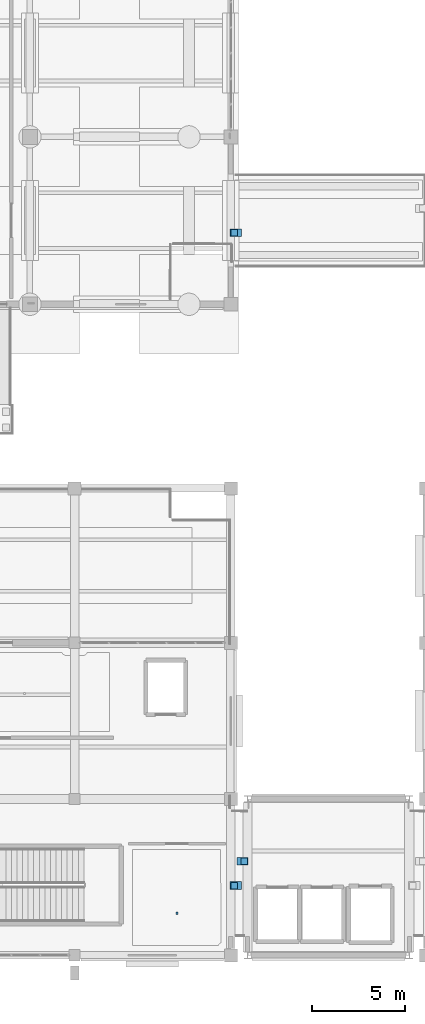
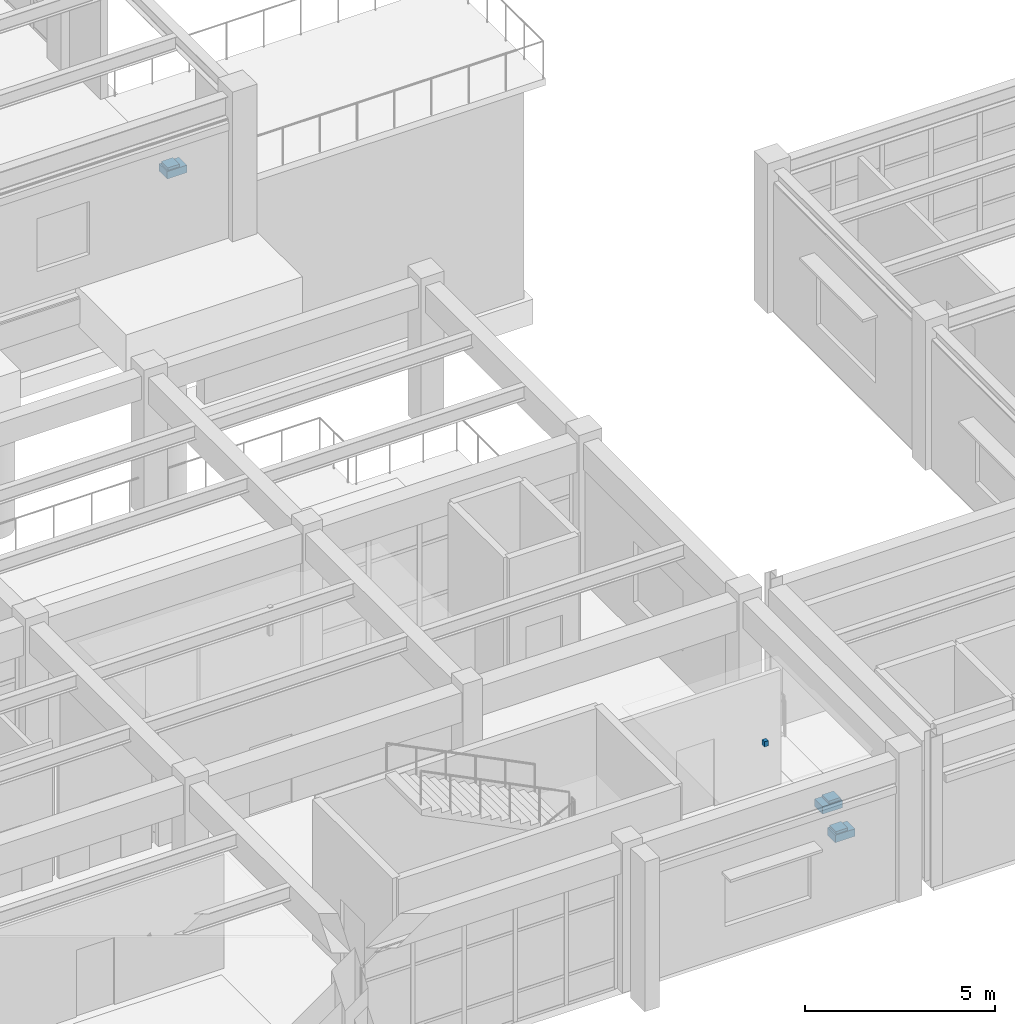
# One storey, part 82 of 98: 7 discrete accessories.
"""IFC4 building model written with IfcOpenShell, lengths in metres."""

from ifc_helpers import new_model, si_unit, direction, frame, origin, origin_2d, place, context, subcontext, project, spatial, rectangle, extrude, material, layer, layer_set, type_object, element, save


model = new_model("IFC4")

# Units and contexts
model_context = context("Model", 3, precision=1e-05, world=origin(), true_north=direction((0.0, 1.0)))
body_context = subcontext(model_context, "Body", "Model", "MODEL_VIEW")
ifc_project = project(units=[si_unit("LENGTHUNIT", "METRE"), si_unit("AREAUNIT", "SQUARE_METRE"), si_unit("VOLUMEUNIT", "CUBIC_METRE"), si_unit("PLANEANGLEUNIT", "RADIAN"), si_unit("MASSUNIT", "GRAM", prefix="KILO")], contexts=[model_context])

# Site, building, storey
site_placement = place(None, origin())
site = spatial("IfcSite", under=ifc_project, at=site_placement, CompositionType="ELEMENT")
building_placement = place(site_placement, origin())
building = spatial("IfcBuilding", under=site, at=building_placement, Name="Canglan Escarpment Cableway Terminal", CompositionType="ELEMENT")
storey_placement = place(building_placement, frame((0.0, 0.0, 9.60009765625)))
storey = spatial("IfcBuildingStorey", under=building, at=storey_placement, Name="L02", CompositionType="ELEMENT", Elevation=9.60009765625)

# Discrete accessories
ifc_material_1 = material(Name="Steel Q355B", Category="steel")
ifc_layer_1 = layer(ifc_material_1, 0.159912109375, Name="Steel Q355B")
ifc_layer_set_1 = layer_set([ifc_layer_1], Name="Steel Q355B")
discrete_accessory_type_1 = type_object("IfcDiscreteAccessoryType", Name="ACC-BRACKET-01", PredefinedType="BRACKET", material=ifc_layer_set_1)
discrete_accessory_placement = place(storey_placement, frame((133.800048828125, 10.25341796875, 4.369873046875), z_axis=(0.0, 0.0, 1.0), x_axis=(1.0, 0.0, 0.0)))
element("IfcDiscreteAccessory", 1, at=discrete_accessory_placement, inside=storey, type_object=discrete_accessory_type_1, Name="Suspended ceiling hanger bracket BK-01", PredefinedType="BRACKET", context=body_context, shape_type="SweptSolid", body=[
    extrude(rectangle(XDim=0.1201171875, YDim=0.1201171875, at=origin_2d()), origin(), (0.0, 0.0, 1.0), 0.169921875),
])
ifc_material_2 = material(Name="Concrete C40", Category="concrete")
ifc_layer_2 = layer(ifc_material_2, 0.239990234375, Name="Concrete C40")
ifc_layer_set_2 = layer_set([ifc_layer_2], Name="Concrete C40")
discrete_accessory_type_2 = type_object("IfcDiscreteAccessoryType", Name="ACC-CORBEL-CB01", PredefinedType="BRACKET", material=ifc_layer_set_2)
for number, where, z_axis, x_axis, name in (
    (2, (136.965087890625, 11.75, -0.5400390625), (0.0, 0.0, 1.0), (1.0, 0.0, 0.0), "Concrete C40 movement-joint corbel bearing ledge CB-01"),
    (3, (137.3349609375, 13.050048828125, -0.5400390625), (0.0, 0.0, 1.0), (1.0, 0.0, 0.0), "Concrete C40 movement-joint corbel bearing ledge CB-01"),
    (4, (136.965087890625, 46.85009765625, -0.5400390625), (0.0, 0.0, 1.0), (1.0, 0.0, 0.0), "Concrete C40 movement-joint corbel bearing ledge CB-01"),
):
    element("IfcDiscreteAccessory", number, at=place(storey_placement, frame(where, z_axis=z_axis, x_axis=x_axis)), inside=storey, type_object=discrete_accessory_type_2, Name=name, PredefinedType="BRACKET", context=body_context, shape_type="SweptSolid", body=[
        extrude(rectangle(XDim=0.60009765625, YDim=0.419921875, at=origin_2d()), origin(), (0.0, 0.0, 1.0), 0.239990234375),
    ])
ifc_material_3 = material(Name="Stainless steel and PTFE elastomer", Category="steel")
ifc_layer_3 = layer(ifc_material_3, 0.080078125, Name="Stainless steel and PTFE elastomer")
ifc_layer_set_3 = layer_set([ifc_layer_3], Name="Stainless steel and PTFE elastomer")
discrete_accessory_type_3 = type_object("IfcDiscreteAccessoryType", Name="BRG-SLIDING-MJ01", PredefinedType="USERDEFINED", material=ifc_layer_set_3)
for number, where, z_axis, x_axis, name in (
    (5, (136.885009765625, 11.75, -0.300048828125), (0.0, 0.0, 1.0), (1.0, 0.0, 0.0), "Unguided PTFE-elastomeric sliding bearing pad MJ-01"),
    (6, (137.4150390625, 13.050048828125, -0.300048828125), (0.0, 0.0, 1.0), (1.0, 0.0, 0.0), "Unguided PTFE-elastomeric sliding bearing pad MJ-01"),
    (7, (136.885009765625, 46.85009765625, -0.300048828125), (0.0, 0.0, 1.0), (1.0, 0.0, 0.0), "Unguided PTFE-elastomeric sliding bearing pad MJ-01"),
):
    element("IfcDiscreteAccessory", number, at=place(storey_placement, frame(where, z_axis=z_axis, x_axis=x_axis)), inside=storey, type_object=discrete_accessory_type_3, Name=name, ObjectType="SLIDING BEARING", PredefinedType="USERDEFINED", context=body_context, shape_type="SweptSolid", body=[
        extrude(rectangle(XDim=0.35009765625, YDim=0.35009765625, at=origin_2d()), origin(), (0.0, 0.0, 1.0), 0.080078125),
    ])

save(model, "model.ifc")
